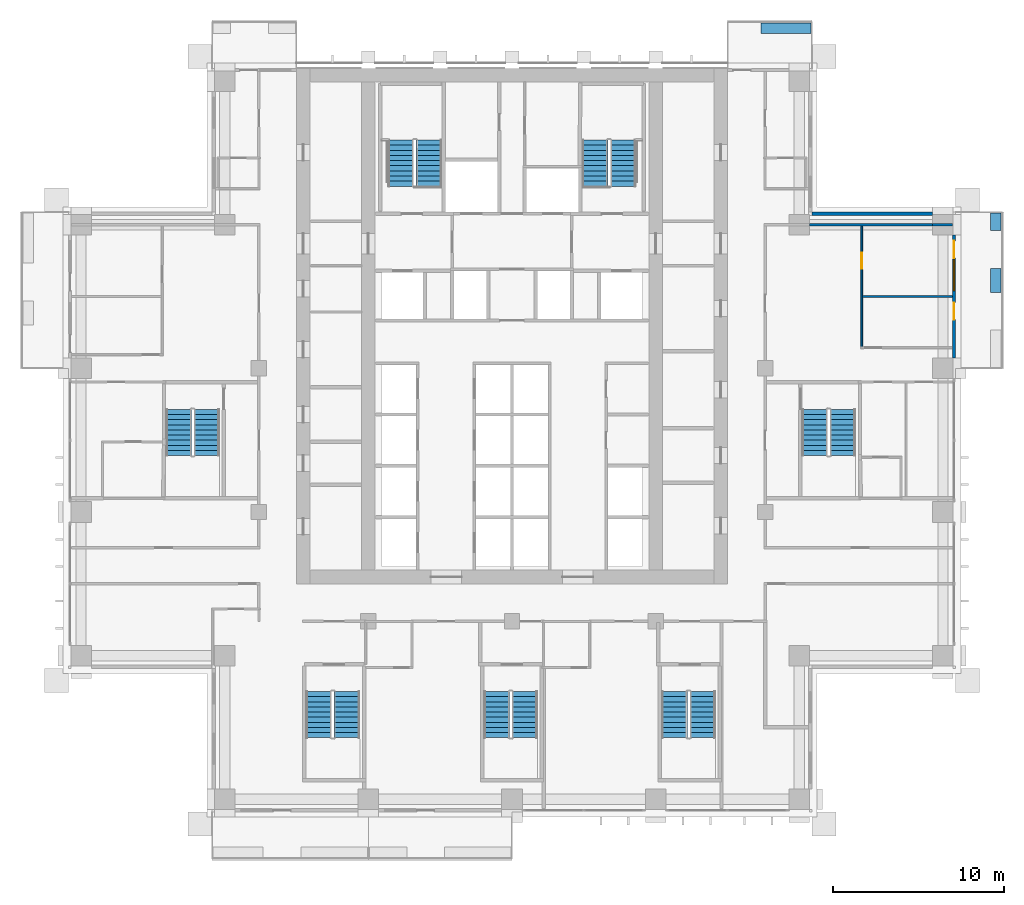
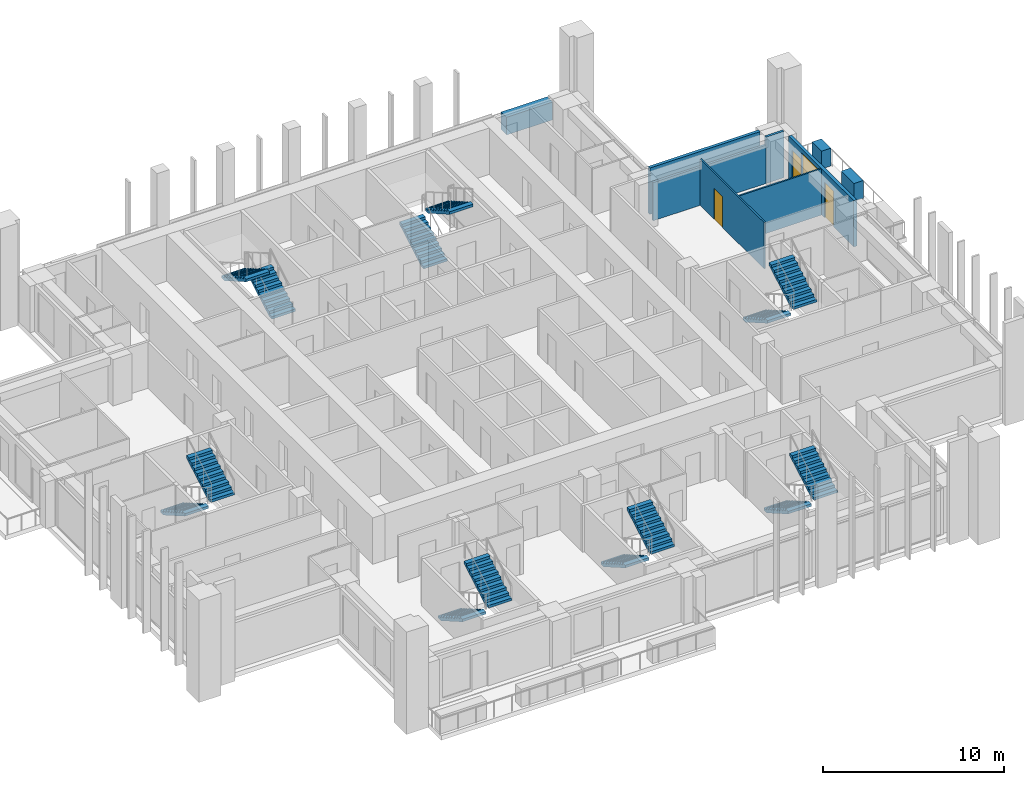
# One storey, part 12 of 17: 14 stair flights, 9 walls, 3 doors, 1 window, 4 openings, 7 elements without a shape of their own.
"""IFC4 building model written with IfcOpenShell, lengths in metres."""

import ifcopenshell
import ifcopenshell.guid

model = None  # the IFC model being written
_history = None  # IfcOwnerHistory: only IFC2X3 demands one
_inside = {}  # id of a spatial element -> (the spatial element, [elements in it])
_under = {}  # id of a project, library or spatial element -> (it, [spatial elements below it])
_declared = {}  # id of a project -> (the project, [libraries it declares])
_typed = {}  # id of a type object -> (the type object, [elements of that type])
_made_of = {}  # id of a material, layer set ... -> (it, [elements and type objects made of it])


def new_model(schema):
    """Start an empty IFC model of exactly this schema.

    Asked for "IFC4X3", IfcOpenShell would pick the latest addendum, in which some entities
    have other attributes; the version numbers below select the first issue.
    IFC2X3 requires an IfcOwnerHistory on every rooted entity: one is made here for all.
    """
    global model, _history
    if schema == "IFC4X3":
        model = ifcopenshell.file(schema_version=(4, 3, 0, 0))
    else:
        model = ifcopenshell.file(schema=schema)
    _inside.clear()
    _under.clear()
    _declared.clear()
    _typed.clear()
    _made_of.clear()
    _history = None
    if model.schema == "IFC2X3":
        org = make("IfcOrganization", Name="unknown")
        user = make(
            "IfcPersonAndOrganization",
            ThePerson=make("IfcPerson", FamilyName="unknown"),
            TheOrganization=org,
        )
        app = make(
            "IfcApplication",
            ApplicationDeveloper=org,
            Version="unknown",
            ApplicationFullName="unknown",
            ApplicationIdentifier="unknown",
        )
        _history = make(
            "IfcOwnerHistory",
            OwningUser=user,
            OwningApplication=app,
            ChangeAction="ADDED",
            CreationDate=0,
        )
    return model


def make(cls, **values):
    """One entity of the class cls with the attributes given. An attribute that is None is left unset."""
    return model.create_entity(
        cls, **{name: value for name, value in values.items() if value is not None}
    )


def rooted(cls, **values):
    """An entity with a GlobalId (a new one), such as an element, a storey or a relation."""
    return make(cls, GlobalId=ifcopenshell.guid.new(), OwnerHistory=_history, **values)


def si_unit(unit_type, name, prefix=None):
    """IfcSIUnit, for example si_unit("LENGTHUNIT", "METRE", prefix="MILLI")."""
    return make("IfcSIUnit", UnitType=unit_type, Prefix=prefix, Name=name)


def assignment(units):
    """IfcUnitAssignment: the units of a project."""
    return None if units is None else make("IfcUnitAssignment", Units=units)


def point(xyz):
    """IfcCartesianPoint."""
    return None if xyz is None else make("IfcCartesianPoint", Coordinates=xyz)


def direction(xyz):
    """IfcDirection."""
    return None if xyz is None else make("IfcDirection", DirectionRatios=xyz)


def frame(location, z_axis=None, x_axis=None):
    """IfcAxis2Placement3D, a coordinate frame: its origin and axes. An axis left out is left unset."""
    return make(
        "IfcAxis2Placement3D",
        Location=point(location),
        Axis=direction(z_axis),
        RefDirection=direction(x_axis),
    )


def frame_2d(location, x_axis=None):
    """IfcAxis2Placement2D, a coordinate frame in the plane: its origin and x axis."""
    return make(
        "IfcAxis2Placement2D", Location=point(location), RefDirection=direction(x_axis)
    )


def origin():
    """The frame at (0, 0, 0) with its axes left unset."""
    return frame((0.0, 0.0, 0.0))


def place(relative_to, where):
    """IfcLocalPlacement: puts the frame where relative to a parent placement (None: the world)."""
    return make(
        "IfcLocalPlacement", PlacementRelTo=relative_to, RelativePlacement=where
    )


def context(
    kind, dimensions, precision=None, world=None, true_north=None, identifier=None
):
    """IfcGeometricRepresentationContext, for example the 3D "Model" context."""
    return make(
        "IfcGeometricRepresentationContext",
        ContextIdentifier=identifier,
        ContextType=kind,
        CoordinateSpaceDimension=dimensions,
        Precision=precision,
        WorldCoordinateSystem=world,
        TrueNorth=true_north,
    )


def subcontext(parent, identifier, kind, view, scale=None):
    """IfcGeometricRepresentationSubContext, for example "Body" below "Model"."""
    return make(
        "IfcGeometricRepresentationSubContext",
        ContextIdentifier=identifier,
        ContextType=kind,
        ParentContext=parent,
        TargetScale=scale,
        TargetView=view,
    )


def project(units=None, contexts=None):
    """IfcProject with its units and contexts."""
    return rooted(
        "IfcProject",
        Name="project",
        RepresentationContexts=contexts,
        UnitsInContext=assignment(units),
    )


def spatial(cls, under=None, at=None, **own):
    """A site, building, storey or space (cls), placed at a placement, below another one or the project."""
    s = rooted(cls, ObjectPlacement=at, **own)
    if under is not None:
        _under.setdefault(under.id(), (under, []))[1].append(s)
    return s


def polyline(points):
    """IfcPolyline through the points."""
    return make("IfcPolyline", Points=[point(p) for p in points])


def profile(cls, at=None, kind="AREA", **sizes):
    """A parametric profile (cls). Its sizes go by their IFC names, for example OverallWidth=200.0."""
    return make(cls, ProfileType=kind, Position=at, **sizes)


def rectangle(**sizes):
    """IfcRectangleProfileDef."""
    return profile("IfcRectangleProfileDef", **sizes)


def outline(outer, holes=None, kind="AREA"):
    """IfcArbitraryClosedProfileDef: a profile drawn as a closed curve; with holes, ...WithVoids."""
    if holes is None:
        return make("IfcArbitraryClosedProfileDef", ProfileType=kind, OuterCurve=outer)
    return make(
        "IfcArbitraryProfileDefWithVoids",
        ProfileType=kind,
        OuterCurve=outer,
        InnerCurves=holes,
    )


def extrude(swept, where, along, depth):
    """IfcExtrudedAreaSolid: the profile swept, set in the frame where, extruded along a direction by depth."""
    return make(
        "IfcExtrudedAreaSolid",
        SweptArea=swept,
        Position=where,
        ExtrudedDirection=direction(along),
        Depth=depth,
    )


def shape(context_of_items, identifier, shape_type, items):
    """IfcShapeRepresentation: the items that make up one representation, for example the "Body"."""
    return make(
        "IfcShapeRepresentation",
        ContextOfItems=context_of_items,
        RepresentationIdentifier=identifier,
        RepresentationType=shape_type,
        Items=items,
    )


def material(Name=None, Category=None):
    """IfcMaterial."""
    return make("IfcMaterial", Name=Name, Category=Category)


def layer(
    of_material, thickness, ventilated=None, Name=None, Category=None, Priority=None
):
    """IfcMaterialLayer: one layer of a wall or slab, of a material (None: an air gap)."""
    return make(
        "IfcMaterialLayer",
        Material=of_material,
        LayerThickness=thickness,
        IsVentilated=ventilated,
        Name=Name,
        Category=Category,
        Priority=Priority,
    )


def layer_set(layers, Name=None):
    """IfcMaterialLayerSet."""
    return make("IfcMaterialLayerSet", MaterialLayers=layers, LayerSetName=Name)


def made_of(thing, what):
    """Note that an element or type object is made of a material, layer set ...; save() writes the relation."""
    if what is not None:
        _made_of.setdefault(what.id(), (what, []))[1].append(thing)
    return thing


def type_object(cls, material=None, **own):
    """A type object (cls), such as IfcWallType, which elements share."""
    return made_of(rooted(cls, **own), material)


def element(
    cls,
    number,
    at=None,
    inside=None,
    cuts=None,
    type_object=None,
    material=None,
    context=None,
    identifier="Body",
    shape_type=None,
    held_by="IfcProductDefinitionShape",
    body=None,
    shapes=None,
    **own,
):
    """One element of the class cls, such as IfcWall. Its Tag is "e" and its number.

    at: its placement. inside: the storey or other place that contains it. cuts: it is an
    opening in that element (IfcRelVoidsElement). A single representation is given by context,
    identifier, shape_type and body (its items); several are given by shapes. held_by: the class
    of the entity that holds the representations. save() writes the other relations.
    """
    e = rooted(cls, Tag="e%d" % number, ObjectPlacement=at, **own)
    if body is not None:
        shapes = [shape(context, identifier, shape_type, body)]
    if shapes is not None:
        e.Representation = make(held_by, Representations=shapes)
    if inside is not None:
        _inside.setdefault(inside.id(), (inside, []))[1].append(e)
    if cuts is not None:
        rooted(
            "IfcRelVoidsElement", RelatingBuildingElement=cuts, RelatedOpeningElement=e
        )
    if type_object is not None:
        _typed.setdefault(type_object.id(), (type_object, []))[1].append(e)
    return made_of(e, material)


def fill(opening, filler):
    """IfcRelFillsElement: the door or window that sits in an opening."""
    return rooted(
        "IfcRelFillsElement",
        RelatingOpeningElement=opening,
        RelatedBuildingElement=filler,
    )


def aggregate(whole, parts):
    """IfcRelAggregates: a whole, such as a stair, and the parts it consists of."""
    return rooted("IfcRelAggregates", RelatingObject=whole, RelatedObjects=parts)


def save(model, path):
    """Write the relations noted so far, then the file.

    IfcRelAggregates (storeys below a building ...), IfcRelContainedInSpatialStructure (elements
    in a storey), IfcRelDefinesByType, IfcRelAssociatesMaterial and IfcRelDeclares: one each for
    every whole, place, type object, material and project.
    """
    for whole, parts in _under.values():
        aggregate(whole, parts)
    for where, things in _inside.values():
        rooted(
            "IfcRelContainedInSpatialStructure",
            RelatedElements=things,
            RelatingStructure=where,
        )
    for kind, things in _typed.values():
        rooted("IfcRelDefinesByType", RelatedObjects=things, RelatingType=kind)
    for what, things in _made_of.values():
        rooted("IfcRelAssociatesMaterial", RelatedObjects=things, RelatingMaterial=what)
    for by, libraries in _declared.values():
        rooted("IfcRelDeclares", RelatingContext=by, RelatedDefinitions=libraries)
    model.write(path)


model = new_model("IFC4")

# Units and contexts
model_context = context("Model", 3, precision=1e-05, world=origin(), true_north=direction((0.0, 1.0)))
body_context = subcontext(model_context, "Body", "Model", "MODEL_VIEW")
ifc_project = project(units=[si_unit("LENGTHUNIT", "METRE"), si_unit("AREAUNIT", "SQUARE_METRE"), si_unit("VOLUMEUNIT", "CUBIC_METRE"), si_unit("PLANEANGLEUNIT", "RADIAN"), si_unit("MASSUNIT", "GRAM", prefix="KILO")], contexts=[model_context])

# Site, building, storey
site_placement = place(None, origin())
site = spatial("IfcSite", under=ifc_project, at=site_placement, CompositionType="ELEMENT")
building_placement = place(site_placement, origin())
building = spatial("IfcBuilding", under=site, at=building_placement, Name="Vermilion Ogive Tower", CompositionType="ELEMENT")
storey_placement = place(building_placement, frame((0.0, 0.0, 111.449951171875)))
storey = spatial("IfcBuildingStorey", under=building, at=storey_placement, Name="L28", CompositionType="ELEMENT", Elevation=111.449951171875)

# Wall
ifc_material_1 = material(Name="Gypsum board partition on steel studs", Category="steel")
ifc_layer_1 = layer(ifc_material_1, 0.10009765625)
ifc_layer_set_1 = layer_set([ifc_layer_1], Name="Partition 100 inner")
wall_type_1 = type_object("IfcWallType", Name="Partition 100 inner", PredefinedType="PARTITIONING", material=ifc_layer_set_1)
wall_1_placement = place(storey_placement, frame((20.5, 8.39990234375, 0.0), z_axis=(0.0, 0.0, 1.0), x_axis=(1.0, 0.0, 0.0)))
element("IfcWall", 1, at=wall_1_placement, inside=storey, type_object=wall_type_1, Name="L28-W-W034", PredefinedType="PARTITIONING", context=body_context, shape_type="SweptSolid", body=[
    extrude(rectangle(XDim=5.25, YDim=0.10009765625, at=frame_2d((2.625, 0.0))), origin(), (0.0, 0.0, 1.0), 3.130126953125),
])

# Wall, opening, door
wall_2_placement = place(storey_placement, frame((20.449951171875, 5.449951171875, 0.0), z_axis=(0.0, 0.0, 1.0), x_axis=(0.0, 1.0, 0.0)))
wall_2 = element("IfcWall", 2, at=wall_2_placement, inside=storey, type_object=wall_type_1, Name="L28-W-W076", PredefinedType="PARTITIONING", context=body_context, shape_type="SweptSolid", body=[
    extrude(rectangle(XDim=7.074951171875, YDim=0.10009765625, at=frame_2d((3.53759765625, 0.0))), origin(), (0.0, 0.0, 1.0), 3.130126953125),
])
opening_1_placement = place(wall_2_placement, frame((4.574951171875, 0.0, 0.0)))
opening_1 = element("IfcOpeningElement", 3, at=opening_1_placement, cuts=wall_2, Name="Opening D2G5017", PredefinedType="OPENING", context=body_context, shape_type="SweptSolid", body=[
    extrude(rectangle(XDim=0.949951171875, YDim=2.10009765625, at=frame_2d((0.47509765625, 1.050048828125))), frame((0.0, 0.06005859375, 0.0), z_axis=(0.0, -1.0, 0.0), x_axis=(1.0, 0.0, 0.0)), (0.0, 0.0, 1.0), 0.1201171875),
])
ifc_material_2 = material(Name="Timber door leaf", Category="wood")
door_type_1 = type_object("IfcDoorType", Name="Inner door 950 x 2100 FD30", OperationType="SINGLE_SWING_LEFT", PredefinedType="DOOR", material=ifc_material_2)
door_1_placement = place(opening_1_placement, origin())
door_1 = element("IfcDoor", 4, at=door_1_placement, inside=storey, type_object=door_type_1, Name="L28-D-D017", OperationType="SINGLE_SWING_RIGHT", OverallHeight=2.10009765625, OverallWidth=0.949951171875, PredefinedType="DOOR", context=body_context, shape_type="SweptSolid", body=[
    extrude(rectangle(XDim=0.949951171875, YDim=2.10009765625, at=frame_2d((0.47509765625, 1.050048828125))), frame((0.0, 0.02490234375, 0.0), z_axis=(0.0, -1.0, 0.0), x_axis=(1.0, 0.0, 0.0)), (0.0, 0.0, 1.0), 0.050048828125),
])
fill(opening_1, door_1)

# Walls
ifc_material_3 = material(Name="Gypsum board partition on steel studs", Category="steel")
ifc_layer_2 = layer(ifc_material_3, 0.14990234375)
ifc_layer_set_2 = layer_set([ifc_layer_2], Name="Partition 150 corridor")
wall_type_2 = type_object("IfcWallType", Name="Partition 150 corridor", PredefinedType="PARTITIONING", material=ifc_layer_set_2)
wall_3_placement = place(storey_placement, frame((17.39990234375, 12.60009765625, 0.0), z_axis=(0.0, 0.0, 1.0), x_axis=(1.0, 0.0, 0.0)))
element("IfcWall", 5, at=wall_3_placement, inside=storey, type_object=wall_type_2, Name="L28-W-W036-h1", PredefinedType="PARTITIONING", context=body_context, shape_type="SweptSolid", body=[
    extrude(rectangle(XDim=7.2001953125, YDim=0.14990234375, at=frame_2d((3.60009765625, 0.0))), origin(), (0.0, 0.0, 1.0), 2.580078125),
])
wall_4_placement = place(storey_placement, frame((24.60009765625, 12.60009765625, 0.0), z_axis=(0.0, 0.0, 1.0), x_axis=(1.0, 0.0, 0.0)))
element("IfcWall", 6, at=wall_4_placement, inside=storey, type_object=wall_type_2, Name="L28-W-W036-h2", PredefinedType="PARTITIONING", context=body_context, shape_type="SweptSolid", body=[
    extrude(rectangle(XDim=1.14990234375, YDim=0.14990234375, at=frame_2d((0.574951171875, 0.0))), origin(), (0.0, 0.0, 1.0), 3.130126953125),
])
ifc_material_4 = material(Name="Concrete B40", Category="concrete")
ifc_layer_3 = layer(ifc_material_4, 0.60009765625)
ifc_layer_set_3 = layer_set([ifc_layer_3], Name="Structural planter")
wall_type_3 = type_object("IfcWallType", Name="Structural planter", PredefinedType="USERDEFINED", material=ifc_layer_set_3)
wall_5_placement = place(storey_placement, frame((28.2939453125, 8.64990234375, -0.0400390625), z_axis=(0.0, 0.0, 1.0), x_axis=(0.0, 1.0, 0.0)))
element("IfcWall", 7, at=wall_5_placement, inside=storey, type_object=wall_type_3, Name="Planter E03A2", ObjectType="PLANTER", PredefinedType="USERDEFINED", context=body_context, shape_type="SweptSolid", body=[
    extrude(rectangle(XDim=1.400146484375, YDim=0.60009765625, at=frame_2d((0.7001953125, 0.0))), origin(), (0.0, 0.0, 1.0), 1.2001953125),
])
wall_6_placement = place(storey_placement, frame((28.2939453125, 12.25, -0.0400390625), z_axis=(0.0, 0.0, 1.0), x_axis=(0.0, 1.0, 0.0)))
element("IfcWall", 8, at=wall_6_placement, inside=storey, type_object=wall_type_3, Name="Planter E03A3", ObjectType="PLANTER", PredefinedType="USERDEFINED", context=body_context, shape_type="SweptSolid", body=[
    extrude(rectangle(XDim=1.0400390625, YDim=0.60009765625, at=frame_2d((0.52001953125, 0.0))), origin(), (0.0, 0.0, 1.0), 1.2001953125),
])
wall_7_placement = place(storey_placement, frame((17.489990234375, 24.093994140625, -0.0400390625), z_axis=(0.0, 0.0, 1.0), x_axis=(-1.0, 0.0, 0.0)))
element("IfcWall", 9, at=wall_7_placement, inside=storey, type_object=wall_type_3, Name="Planter N101A1", ObjectType="PLANTER", PredefinedType="USERDEFINED", context=body_context, shape_type="SweptSolid", body=[
    extrude(rectangle(XDim=2.93994140625, YDim=0.60009765625, at=frame_2d((1.469970703125, 0.0))), origin(), (0.0, 0.0, 1.0), 1.2001953125),
])

# Wall, openings, doors, window
ifc_material_5 = material(Name="Aluminium window wall framing", Category="aluminium")
ifc_layer_4 = layer(ifc_material_5, 0.199951171875)
ifc_layer_set_4 = layer_set([ifc_layer_4], Name="Window wall")
wall_type_4 = type_object("IfcWallType", Name="Window wall", PredefinedType="STANDARD", material=ifc_layer_set_4)
wall_8_placement = place(storey_placement, frame((25.85009765625, 4.800048828125, 0.0), z_axis=(0.0, 0.0, 1.0), x_axis=(0.0, 1.0, 0.0)))
wall_8 = element("IfcWall", 10, at=wall_8_placement, inside=storey, type_object=wall_type_4, Name="Window wall E3", PredefinedType="STANDARD", context=body_context, shape_type="SweptSolid", body=[
    extrude(rectangle(XDim=7.199951171875, YDim=0.199951171875, at=frame_2d((3.60009765625, 0.0))), origin(), (0.0, 0.0, 1.0), 3.130126953125),
])
opening_2_placement = place(wall_8_placement, frame((2.25, 0.0, 0.0)))
opening_2 = element("IfcOpeningElement", 11, at=opening_2_placement, cuts=wall_8, Name="Opening D1-E01", PredefinedType="OPENING", context=body_context, shape_type="SweptSolid", body=[
    extrude(rectangle(XDim=1.0, YDim=2.39990234375, at=frame_2d((0.5, 1.199951171875))), frame((0.0, 0.10986328125, 0.0), z_axis=(0.0, -1.0, 0.0), x_axis=(1.0, 0.0, 0.0)), (0.0, 0.0, 1.0), 0.219970703125),
])
opening_3_placement = place(wall_8_placement, frame((3.949951171875, 0.0, 0.199951171875)))
opening_3 = element("IfcOpeningElement", 12, at=opening_3_placement, cuts=wall_8, Name="Opening W1-E02", PredefinedType="OPENING", context=body_context, shape_type="SweptSolid", body=[
    extrude(rectangle(XDim=1.800048828125, YDim=2.64990234375, at=frame_2d((0.89990234375, 1.324951171875))), frame((0.0, 0.10986328125, 0.0), z_axis=(0.0, -1.0, 0.0), x_axis=(1.0, 0.0, 0.0)), (0.0, 0.0, 1.0), 0.219970703125),
])
opening_4_placement = place(wall_8_placement, frame((5.85009765625, 0.0, 0.0)))
opening_4 = element("IfcOpeningElement", 13, at=opening_4_placement, cuts=wall_8, Name="Opening D1-E02", PredefinedType="OPENING", context=body_context, shape_type="SweptSolid", body=[
    extrude(rectangle(XDim=1.0, YDim=2.39990234375, at=frame_2d((0.5, 1.199951171875))), frame((0.0, 0.10986328125, 0.0), z_axis=(0.0, -1.0, 0.0), x_axis=(1.0, 0.0, 0.0)), (0.0, 0.0, 1.0), 0.219970703125),
])
ifc_material_6 = material(Name="Aluminium framed glazed door", Category="aluminium")
door_type_2 = type_object("IfcDoorType", Name="Balcony door D1", OperationType="SINGLE_SWING_LEFT", PredefinedType="DOOR", material=ifc_material_6)
door_2_placement = place(opening_2_placement, origin())
door_2 = element("IfcDoor", 14, at=door_2_placement, inside=storey, type_object=door_type_2, Name="Balcony door E01", OperationType="SINGLE_SWING_LEFT", OverallHeight=2.39990234375, OverallWidth=1.0, PredefinedType="DOOR", context=body_context, shape_type="SweptSolid", body=[
    extrude(rectangle(XDim=1.0, YDim=2.39990234375, at=frame_2d((0.5, 1.199951171875))), frame((0.0, 0.02490234375, 0.0), z_axis=(0.0, -1.0, 0.0), x_axis=(1.0, 0.0, 0.0)), (0.0, 0.0, 1.0), 0.050048828125),
])
fill(opening_2, door_2)
door_3_placement = place(opening_4_placement, origin())
door_3 = element("IfcDoor", 15, at=door_3_placement, inside=storey, type_object=door_type_2, Name="Balcony door E02", OperationType="SINGLE_SWING_LEFT", OverallHeight=2.39990234375, OverallWidth=1.0, PredefinedType="DOOR", context=body_context, shape_type="SweptSolid", body=[
    extrude(rectangle(XDim=1.0, YDim=2.39990234375, at=frame_2d((0.5, 1.199951171875))), frame((0.0, 0.02490234375, 0.0), z_axis=(0.0, -1.0, 0.0), x_axis=(1.0, 0.0, 0.0)), (0.0, 0.0, 1.0), 0.050048828125),
])
fill(opening_4, door_3)
ifc_material_7 = material(Name="Aluminium framed double glazing", Category="aluminium")
window_type = type_object("IfcWindowType", Name="Guest window W1", PartitioningType="SINGLE_PANEL", PredefinedType="WINDOW", material=ifc_material_7)
window_placement = place(opening_3_placement, origin())
window = element("IfcWindow", 16, at=window_placement, inside=storey, type_object=window_type, Name="Window E02", OverallHeight=2.64990234375, OverallWidth=1.800048828125, PartitioningType="SINGLE_PANEL", PredefinedType="WINDOW", context=body_context, shape_type="SweptSolid", body=[
    extrude(rectangle(XDim=1.800048828125, YDim=2.64990234375, at=frame_2d((0.89990234375, 1.324951171875))), frame((0.0, 0.030029296875, 0.0), z_axis=(0.0, -1.0, 0.0), x_axis=(1.0, 0.0, 0.0)), (0.0, 0.0, 1.0), 0.06005859375),
])
fill(opening_3, window)

# Wall
wall_9_placement = place(storey_placement, frame((24.60009765625, 13.25, 0.0), z_axis=(0.0, 0.0, 1.0), x_axis=(-1.0, 0.0, 0.0)))
element("IfcWall", 17, at=wall_9_placement, inside=storey, type_object=wall_type_4, Name="Window wall X31", PredefinedType="STANDARD", context=body_context, shape_type="SweptSolid", body=[
    extrude(rectangle(XDim=7.050048828125, YDim=0.199951171875, at=frame_2d((3.52490234375, 0.0))), origin(), (0.0, 0.0, 1.0), 3.130126953125),
])

# Stair, stair flights
ifc_material_8 = material(Name="Concrete B40", Category="concrete")
stair_type = type_object("IfcStairType", Name="Exit stair 1500", PredefinedType="HALF_TURN_STAIR", material=ifc_material_8)
stair_1_placement = place(storey_placement, origin())
stair_1 = element("IfcStair", 18, at=stair_1_placement, inside=storey, type_object=stair_type, Name="L28 Exit Stair ST1", PredefinedType="HALF_TURN_STAIR")
ifc_material_9 = material(Name="Concrete B40", Category="concrete")
stair_flight_type = type_object("IfcStairFlightType", Name="Stair flight 1500", PredefinedType="STRAIGHT", material=ifc_material_9)
stair_flight_1_placement = place(storey_placement, frame((-4.85009765625, 14.85009765625, 0.0), z_axis=(0.0, 0.0, 1.0), x_axis=(0.0, 1.0, 0.0)))
stair_flight_1 = element("IfcStairFlight", 19, at=stair_flight_1_placement, type_object=stair_flight_type, Name="ST1 flight 1", NumberOfRisers=10, NumberOfTreads=9, PredefinedType="STRAIGHT", RiserHeight=0.1725, TreadLength=0.3, context=body_context, shape_type="SweptSolid", body=[
    extrude(outline(polyline([(0.0, 0.0), (0.0, 0.172607421875), (0.300048828125, 0.172607421875), (0.300048828125, 0.344970703125), (0.60009765625, 0.344970703125), (0.60009765625, 0.517578125), (0.89990234375, 0.517578125), (0.89990234375, 0.68994140625), (1.199951171875, 0.68994140625), (1.199951171875, 0.862548828125), (1.5, 0.862548828125), (1.5, 1.034912109375), (1.800048828125, 1.034912109375), (1.800048828125, 1.20751953125), (2.10009765625, 1.20751953125), (2.10009765625, 1.3798828125), (2.39990234375, 1.3798828125), (2.39990234375, 1.552490234375), (2.699951171875, 1.552490234375), (2.699951171875, 1.72509765625), (2.699951171875, 1.379638671875), (0.30078125, 0.0), (0.0, 0.0)])), frame((0.0, 0.75, 0.0), z_axis=(0.0, -1.0, 0.0), x_axis=(1.0, 0.0, 0.0)), (0.0, 0.0, 1.0), 1.5),
])
stair_flight_2_placement = place(storey_placement, frame((-6.5, 17.550048828125, 1.72509765625), z_axis=(0.0, 0.0, 1.0), x_axis=(0.0, -1.0, 0.0)))
stair_flight_2 = element("IfcStairFlight", 20, at=stair_flight_2_placement, type_object=stair_flight_type, Name="ST1 flight 2", NumberOfRisers=10, NumberOfTreads=9, PredefinedType="STRAIGHT", RiserHeight=0.1725, TreadLength=0.3, context=body_context, shape_type="SweptSolid", body=[
    extrude(outline(polyline([(0.0, 0.0), (0.0, 0.172607421875), (0.300048828125, 0.172607421875), (0.300048828125, 0.344970703125), (0.60009765625, 0.344970703125), (0.60009765625, 0.517578125), (0.89990234375, 0.517578125), (0.89990234375, 0.68994140625), (1.199951171875, 0.68994140625), (1.199951171875, 0.862548828125), (1.5, 0.862548828125), (1.5, 1.034912109375), (1.800048828125, 1.034912109375), (1.800048828125, 1.20751953125), (2.10009765625, 1.20751953125), (2.10009765625, 1.3798828125), (2.39990234375, 1.3798828125), (2.39990234375, 1.552490234375), (2.699951171875, 1.552490234375), (2.699951171875, 1.72509765625), (2.699951171875, 1.379638671875), (0.30078125, 0.0), (0.0, 0.0)])), frame((0.0, 0.75, 0.0), z_axis=(0.0, -1.0, 0.0), x_axis=(1.0, 0.0, 0.0)), (0.0, 0.0, 1.0), 1.5),
])
aggregate(stair_1, [stair_flight_1, stair_flight_2])

stair_2_placement = place(storey_placement, origin())
stair_2 = element("IfcStair", 21, at=stair_2_placement, inside=storey, type_object=stair_type, Name="L28 Exit Stair ST2", PredefinedType="HALF_TURN_STAIR")
stair_flight_3_placement = place(storey_placement, frame((4.85009765625, 14.85009765625, 0.0), z_axis=(0.0, 0.0, 1.0), x_axis=(0.0, 1.0, 0.0)))
stair_flight_3 = element("IfcStairFlight", 22, at=stair_flight_3_placement, type_object=stair_flight_type, Name="ST2 flight 1", NumberOfRisers=10, NumberOfTreads=9, PredefinedType="STRAIGHT", RiserHeight=0.1725, TreadLength=0.3, context=body_context, shape_type="SweptSolid", body=[
    extrude(outline(polyline([(0.0, 0.0), (0.0, 0.172607421875), (0.300048828125, 0.172607421875), (0.300048828125, 0.344970703125), (0.60009765625, 0.344970703125), (0.60009765625, 0.517578125), (0.89990234375, 0.517578125), (0.89990234375, 0.68994140625), (1.199951171875, 0.68994140625), (1.199951171875, 0.862548828125), (1.5, 0.862548828125), (1.5, 1.034912109375), (1.800048828125, 1.034912109375), (1.800048828125, 1.20751953125), (2.10009765625, 1.20751953125), (2.10009765625, 1.3798828125), (2.39990234375, 1.3798828125), (2.39990234375, 1.552490234375), (2.699951171875, 1.552490234375), (2.699951171875, 1.72509765625), (2.699951171875, 1.379638671875), (0.30078125, 0.0), (0.0, 0.0)])), frame((0.0, 0.75, 0.0), z_axis=(0.0, -1.0, 0.0), x_axis=(1.0, 0.0, 0.0)), (0.0, 0.0, 1.0), 1.5),
])
stair_flight_4_placement = place(storey_placement, frame((6.5, 17.550048828125, 1.72509765625), z_axis=(0.0, 0.0, 1.0), x_axis=(0.0, -1.0, 0.0)))
stair_flight_4 = element("IfcStairFlight", 23, at=stair_flight_4_placement, type_object=stair_flight_type, Name="ST2 flight 2", NumberOfRisers=10, NumberOfTreads=9, PredefinedType="STRAIGHT", RiserHeight=0.1725, TreadLength=0.3, context=body_context, shape_type="SweptSolid", body=[
    extrude(outline(polyline([(0.0, 0.0), (0.0, 0.172607421875), (0.300048828125, 0.172607421875), (0.300048828125, 0.344970703125), (0.60009765625, 0.344970703125), (0.60009765625, 0.517578125), (0.89990234375, 0.517578125), (0.89990234375, 0.68994140625), (1.199951171875, 0.68994140625), (1.199951171875, 0.862548828125), (1.5, 0.862548828125), (1.5, 1.034912109375), (1.800048828125, 1.034912109375), (1.800048828125, 1.20751953125), (2.10009765625, 1.20751953125), (2.10009765625, 1.3798828125), (2.39990234375, 1.3798828125), (2.39990234375, 1.552490234375), (2.699951171875, 1.552490234375), (2.699951171875, 1.72509765625), (2.699951171875, 1.379638671875), (0.30078125, 0.0), (0.0, 0.0)])), frame((0.0, 0.75, 0.0), z_axis=(0.0, -1.0, 0.0), x_axis=(1.0, 0.0, 0.0)), (0.0, 0.0, 1.0), 1.5),
])
aggregate(stair_2, [stair_flight_3, stair_flight_4])

stair_3_placement = place(storey_placement, origin())
stair_3 = element("IfcStair", 24, at=stair_3_placement, inside=storey, type_object=stair_type, Name="L28 Exit Stair ST3", PredefinedType="HALF_TURN_STAIR")
stair_flight_5_placement = place(storey_placement, frame((-11.300048828125, -14.699951171875, 0.0), z_axis=(0.0, 0.0, 1.0), x_axis=(0.0, -1.0, 0.0)))
stair_flight_5 = element("IfcStairFlight", 25, at=stair_flight_5_placement, type_object=stair_flight_type, Name="ST3 flight 1", NumberOfRisers=10, NumberOfTreads=9, PredefinedType="STRAIGHT", RiserHeight=0.1725, TreadLength=0.3, context=body_context, shape_type="SweptSolid", body=[
    extrude(outline(polyline([(0.0, 0.0), (0.0, 0.172607421875), (0.300048828125, 0.172607421875), (0.300048828125, 0.344970703125), (0.60009765625, 0.344970703125), (0.60009765625, 0.517578125), (0.89990234375, 0.517578125), (0.89990234375, 0.68994140625), (1.199951171875, 0.68994140625), (1.199951171875, 0.862548828125), (1.5, 0.862548828125), (1.5, 1.034912109375), (1.800048828125, 1.034912109375), (1.800048828125, 1.20751953125), (2.10009765625, 1.20751953125), (2.10009765625, 1.3798828125), (2.39990234375, 1.3798828125), (2.39990234375, 1.552490234375), (2.699951171875, 1.552490234375), (2.699951171875, 1.72509765625), (2.699951171875, 1.379638671875), (0.30078125, 0.0), (0.0, 0.0)])), frame((0.0, 0.75, 0.0), z_axis=(0.0, -1.0, 0.0), x_axis=(1.0, 0.0, 0.0)), (0.0, 0.0, 1.0), 1.5),
])
stair_flight_6_placement = place(storey_placement, frame((-9.64990234375, -17.39990234375, 1.72509765625), z_axis=(0.0, 0.0, 1.0), x_axis=(0.0, 1.0, 0.0)))
stair_flight_6 = element("IfcStairFlight", 26, at=stair_flight_6_placement, type_object=stair_flight_type, Name="ST3 flight 2", NumberOfRisers=10, NumberOfTreads=9, PredefinedType="STRAIGHT", RiserHeight=0.1725, TreadLength=0.3, context=body_context, shape_type="SweptSolid", body=[
    extrude(outline(polyline([(0.0, 0.0), (0.0, 0.172607421875), (0.300048828125, 0.172607421875), (0.300048828125, 0.344970703125), (0.60009765625, 0.344970703125), (0.60009765625, 0.517578125), (0.89990234375, 0.517578125), (0.89990234375, 0.68994140625), (1.199951171875, 0.68994140625), (1.199951171875, 0.862548828125), (1.5, 0.862548828125), (1.5, 1.034912109375), (1.800048828125, 1.034912109375), (1.800048828125, 1.20751953125), (2.10009765625, 1.20751953125), (2.10009765625, 1.3798828125), (2.39990234375, 1.3798828125), (2.39990234375, 1.552490234375), (2.699951171875, 1.552490234375), (2.699951171875, 1.72509765625), (2.699951171875, 1.379638671875), (0.30078125, 0.0), (0.0, 0.0)])), frame((0.0, 0.75, 0.0), z_axis=(0.0, -1.0, 0.0), x_axis=(1.0, 0.0, 0.0)), (0.0, 0.0, 1.0), 1.5),
])
aggregate(stair_3, [stair_flight_5, stair_flight_6])

stair_4_placement = place(storey_placement, origin())
stair_4 = element("IfcStair", 27, at=stair_4_placement, inside=storey, type_object=stair_type, Name="L28 Exit Stair ST4", PredefinedType="HALF_TURN_STAIR")
stair_flight_7_placement = place(storey_placement, frame((-0.89990234375, -14.699951171875, 0.0), z_axis=(0.0, 0.0, 1.0), x_axis=(0.0, -1.0, 0.0)))
stair_flight_7 = element("IfcStairFlight", 28, at=stair_flight_7_placement, type_object=stair_flight_type, Name="ST4 flight 1", NumberOfRisers=10, NumberOfTreads=9, PredefinedType="STRAIGHT", RiserHeight=0.1725, TreadLength=0.3, context=body_context, shape_type="SweptSolid", body=[
    extrude(outline(polyline([(0.0, 0.0), (0.0, 0.172607421875), (0.300048828125, 0.172607421875), (0.300048828125, 0.344970703125), (0.60009765625, 0.344970703125), (0.60009765625, 0.517578125), (0.89990234375, 0.517578125), (0.89990234375, 0.68994140625), (1.199951171875, 0.68994140625), (1.199951171875, 0.862548828125), (1.5, 0.862548828125), (1.5, 1.034912109375), (1.800048828125, 1.034912109375), (1.800048828125, 1.20751953125), (2.10009765625, 1.20751953125), (2.10009765625, 1.3798828125), (2.39990234375, 1.3798828125), (2.39990234375, 1.552490234375), (2.699951171875, 1.552490234375), (2.699951171875, 1.72509765625), (2.699951171875, 1.379638671875), (0.30078125, 0.0), (0.0, 0.0)])), frame((0.0, 0.75, 0.0), z_axis=(0.0, -1.0, 0.0), x_axis=(1.0, 0.0, 0.0)), (0.0, 0.0, 1.0), 1.5),
])
stair_flight_8_placement = place(storey_placement, frame((0.75, -17.39990234375, 1.72509765625), z_axis=(0.0, 0.0, 1.0), x_axis=(0.0, 1.0, 0.0)))
stair_flight_8 = element("IfcStairFlight", 29, at=stair_flight_8_placement, type_object=stair_flight_type, Name="ST4 flight 2", NumberOfRisers=10, NumberOfTreads=9, PredefinedType="STRAIGHT", RiserHeight=0.1725, TreadLength=0.3, context=body_context, shape_type="SweptSolid", body=[
    extrude(outline(polyline([(0.0, 0.0), (0.0, 0.172607421875), (0.300048828125, 0.172607421875), (0.300048828125, 0.344970703125), (0.60009765625, 0.344970703125), (0.60009765625, 0.517578125), (0.89990234375, 0.517578125), (0.89990234375, 0.68994140625), (1.199951171875, 0.68994140625), (1.199951171875, 0.862548828125), (1.5, 0.862548828125), (1.5, 1.034912109375), (1.800048828125, 1.034912109375), (1.800048828125, 1.20751953125), (2.10009765625, 1.20751953125), (2.10009765625, 1.3798828125), (2.39990234375, 1.3798828125), (2.39990234375, 1.552490234375), (2.699951171875, 1.552490234375), (2.699951171875, 1.72509765625), (2.699951171875, 1.379638671875), (0.30078125, 0.0), (0.0, 0.0)])), frame((0.0, 0.75, 0.0), z_axis=(0.0, -1.0, 0.0), x_axis=(1.0, 0.0, 0.0)), (0.0, 0.0, 1.0), 1.5),
])
aggregate(stair_4, [stair_flight_7, stair_flight_8])

stair_5_placement = place(storey_placement, origin())
stair_5 = element("IfcStair", 30, at=stair_5_placement, inside=storey, type_object=stair_type, Name="L28 Exit Stair ST5", PredefinedType="HALF_TURN_STAIR")
stair_flight_9_placement = place(storey_placement, frame((9.5, -14.699951171875, 0.0), z_axis=(0.0, 0.0, 1.0), x_axis=(0.0, -1.0, 0.0)))
stair_flight_9 = element("IfcStairFlight", 31, at=stair_flight_9_placement, type_object=stair_flight_type, Name="ST5 flight 1", NumberOfRisers=10, NumberOfTreads=9, PredefinedType="STRAIGHT", RiserHeight=0.1725, TreadLength=0.3, context=body_context, shape_type="SweptSolid", body=[
    extrude(outline(polyline([(0.0, 0.0), (0.0, 0.172607421875), (0.300048828125, 0.172607421875), (0.300048828125, 0.344970703125), (0.60009765625, 0.344970703125), (0.60009765625, 0.517578125), (0.89990234375, 0.517578125), (0.89990234375, 0.68994140625), (1.199951171875, 0.68994140625), (1.199951171875, 0.862548828125), (1.5, 0.862548828125), (1.5, 1.034912109375), (1.800048828125, 1.034912109375), (1.800048828125, 1.20751953125), (2.10009765625, 1.20751953125), (2.10009765625, 1.3798828125), (2.39990234375, 1.3798828125), (2.39990234375, 1.552490234375), (2.699951171875, 1.552490234375), (2.699951171875, 1.72509765625), (2.699951171875, 1.379638671875), (0.30078125, 0.0), (0.0, 0.0)])), frame((0.0, 0.75, 0.0), z_axis=(0.0, -1.0, 0.0), x_axis=(1.0, 0.0, 0.0)), (0.0, 0.0, 1.0), 1.5),
])
stair_flight_10_placement = place(storey_placement, frame((11.14990234375, -17.39990234375, 1.72509765625), z_axis=(0.0, 0.0, 1.0), x_axis=(0.0, 1.0, 0.0)))
stair_flight_10 = element("IfcStairFlight", 32, at=stair_flight_10_placement, type_object=stair_flight_type, Name="ST5 flight 2", NumberOfRisers=10, NumberOfTreads=9, PredefinedType="STRAIGHT", RiserHeight=0.1725, TreadLength=0.3, context=body_context, shape_type="SweptSolid", body=[
    extrude(outline(polyline([(0.0, 0.0), (0.0, 0.172607421875), (0.300048828125, 0.172607421875), (0.300048828125, 0.344970703125), (0.60009765625, 0.344970703125), (0.60009765625, 0.517578125), (0.89990234375, 0.517578125), (0.89990234375, 0.68994140625), (1.199951171875, 0.68994140625), (1.199951171875, 0.862548828125), (1.5, 0.862548828125), (1.5, 1.034912109375), (1.800048828125, 1.034912109375), (1.800048828125, 1.20751953125), (2.10009765625, 1.20751953125), (2.10009765625, 1.3798828125), (2.39990234375, 1.3798828125), (2.39990234375, 1.552490234375), (2.699951171875, 1.552490234375), (2.699951171875, 1.72509765625), (2.699951171875, 1.379638671875), (0.30078125, 0.0), (0.0, 0.0)])), frame((0.0, 0.75, 0.0), z_axis=(0.0, -1.0, 0.0), x_axis=(1.0, 0.0, 0.0)), (0.0, 0.0, 1.0), 1.5),
])
aggregate(stair_5, [stair_flight_9, stair_flight_10])

stair_6_placement = place(storey_placement, origin())
stair_6 = element("IfcStair", 33, at=stair_6_placement, inside=storey, type_object=stair_type, Name="L28 Exit Stair ST8", PredefinedType="HALF_TURN_STAIR")
stair_flight_11_placement = place(storey_placement, frame((17.699951171875, 1.800048828125, 0.0), z_axis=(0.0, 0.0, 1.0), x_axis=(0.0, -1.0, 0.0)))
stair_flight_11 = element("IfcStairFlight", 34, at=stair_flight_11_placement, type_object=stair_flight_type, Name="ST8 flight 1", NumberOfRisers=10, NumberOfTreads=9, PredefinedType="STRAIGHT", RiserHeight=0.1725, TreadLength=0.3, context=body_context, shape_type="SweptSolid", body=[
    extrude(outline(polyline([(0.0, 0.0), (0.0, 0.172607421875), (0.300048828125, 0.172607421875), (0.300048828125, 0.344970703125), (0.60009765625, 0.344970703125), (0.60009765625, 0.517578125), (0.89990234375, 0.517578125), (0.89990234375, 0.68994140625), (1.199951171875, 0.68994140625), (1.199951171875, 0.862548828125), (1.5, 0.862548828125), (1.5, 1.034912109375), (1.800048828125, 1.034912109375), (1.800048828125, 1.20751953125), (2.10009765625, 1.20751953125), (2.10009765625, 1.3798828125), (2.39990234375, 1.3798828125), (2.39990234375, 1.552490234375), (2.699951171875, 1.552490234375), (2.699951171875, 1.72509765625), (2.699951171875, 1.379638671875), (0.30078125, 0.0), (0.0, 0.0)])), frame((0.0, 0.75, 0.0), z_axis=(0.0, -1.0, 0.0), x_axis=(1.0, 0.0, 0.0)), (0.0, 0.0, 1.0), 1.5),
])
stair_flight_12_placement = place(storey_placement, frame((19.35009765625, -0.89990234375, 1.72509765625), z_axis=(0.0, 0.0, 1.0), x_axis=(0.0, 1.0, 0.0)))
stair_flight_12 = element("IfcStairFlight", 35, at=stair_flight_12_placement, type_object=stair_flight_type, Name="ST8 flight 2", NumberOfRisers=10, NumberOfTreads=9, PredefinedType="STRAIGHT", RiserHeight=0.1725, TreadLength=0.3, context=body_context, shape_type="SweptSolid", body=[
    extrude(outline(polyline([(0.0, 0.0), (0.0, 0.172607421875), (0.300048828125, 0.172607421875), (0.300048828125, 0.344970703125), (0.60009765625, 0.344970703125), (0.60009765625, 0.517578125), (0.89990234375, 0.517578125), (0.89990234375, 0.68994140625), (1.199951171875, 0.68994140625), (1.199951171875, 0.862548828125), (1.5, 0.862548828125), (1.5, 1.034912109375), (1.800048828125, 1.034912109375), (1.800048828125, 1.20751953125), (2.10009765625, 1.20751953125), (2.10009765625, 1.3798828125), (2.39990234375, 1.3798828125), (2.39990234375, 1.552490234375), (2.699951171875, 1.552490234375), (2.699951171875, 1.72509765625), (2.699951171875, 1.379638671875), (0.30078125, 0.0), (0.0, 0.0)])), frame((0.0, 0.75, 0.0), z_axis=(0.0, -1.0, 0.0), x_axis=(1.0, 0.0, 0.0)), (0.0, 0.0, 1.0), 1.5),
])
aggregate(stair_6, [stair_flight_11, stair_flight_12])

stair_7_placement = place(storey_placement, origin())
stair_7 = element("IfcStair", 36, at=stair_7_placement, inside=storey, type_object=stair_type, Name="L28 Exit Stair ST9", PredefinedType="HALF_TURN_STAIR")
stair_flight_13_placement = place(storey_placement, frame((-19.5, 1.800048828125, 0.0), z_axis=(0.0, 0.0, 1.0), x_axis=(0.0, -1.0, 0.0)))
stair_flight_13 = element("IfcStairFlight", 37, at=stair_flight_13_placement, type_object=stair_flight_type, Name="ST9 flight 1", NumberOfRisers=10, NumberOfTreads=9, PredefinedType="STRAIGHT", RiserHeight=0.1725, TreadLength=0.3, context=body_context, shape_type="SweptSolid", body=[
    extrude(outline(polyline([(0.0, 0.0), (0.0, 0.172607421875), (0.300048828125, 0.172607421875), (0.300048828125, 0.344970703125), (0.60009765625, 0.344970703125), (0.60009765625, 0.517578125), (0.89990234375, 0.517578125), (0.89990234375, 0.68994140625), (1.199951171875, 0.68994140625), (1.199951171875, 0.862548828125), (1.5, 0.862548828125), (1.5, 1.034912109375), (1.800048828125, 1.034912109375), (1.800048828125, 1.20751953125), (2.10009765625, 1.20751953125), (2.10009765625, 1.3798828125), (2.39990234375, 1.3798828125), (2.39990234375, 1.552490234375), (2.699951171875, 1.552490234375), (2.699951171875, 1.72509765625), (2.699951171875, 1.379638671875), (0.30078125, 0.0), (0.0, 0.0)])), frame((0.0, 0.75, 0.0), z_axis=(0.0, -1.0, 0.0), x_axis=(1.0, 0.0, 0.0)), (0.0, 0.0, 1.0), 1.5),
])
stair_flight_14_placement = place(storey_placement, frame((-17.85009765625, -0.89990234375, 1.72509765625), z_axis=(0.0, 0.0, 1.0), x_axis=(0.0, 1.0, 0.0)))
stair_flight_14 = element("IfcStairFlight", 38, at=stair_flight_14_placement, type_object=stair_flight_type, Name="ST9 flight 2", NumberOfRisers=10, NumberOfTreads=9, PredefinedType="STRAIGHT", RiserHeight=0.1725, TreadLength=0.3, context=body_context, shape_type="SweptSolid", body=[
    extrude(outline(polyline([(0.0, 0.0), (0.0, 0.172607421875), (0.300048828125, 0.172607421875), (0.300048828125, 0.344970703125), (0.60009765625, 0.344970703125), (0.60009765625, 0.517578125), (0.89990234375, 0.517578125), (0.89990234375, 0.68994140625), (1.199951171875, 0.68994140625), (1.199951171875, 0.862548828125), (1.5, 0.862548828125), (1.5, 1.034912109375), (1.800048828125, 1.034912109375), (1.800048828125, 1.20751953125), (2.10009765625, 1.20751953125), (2.10009765625, 1.3798828125), (2.39990234375, 1.3798828125), (2.39990234375, 1.552490234375), (2.699951171875, 1.552490234375), (2.699951171875, 1.72509765625), (2.699951171875, 1.379638671875), (0.30078125, 0.0), (0.0, 0.0)])), frame((0.0, 0.75, 0.0), z_axis=(0.0, -1.0, 0.0), x_axis=(1.0, 0.0, 0.0)), (0.0, 0.0, 1.0), 1.5),
])
aggregate(stair_7, [stair_flight_13, stair_flight_14])

save(model, "model.ifc")
